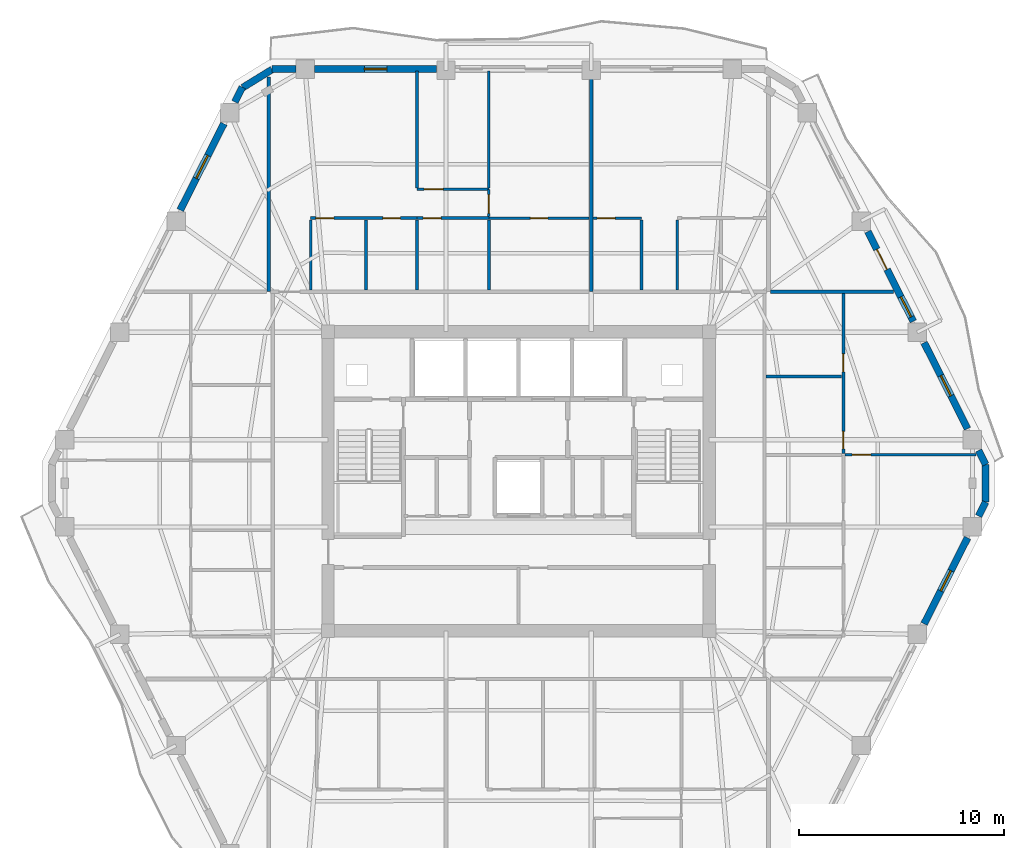
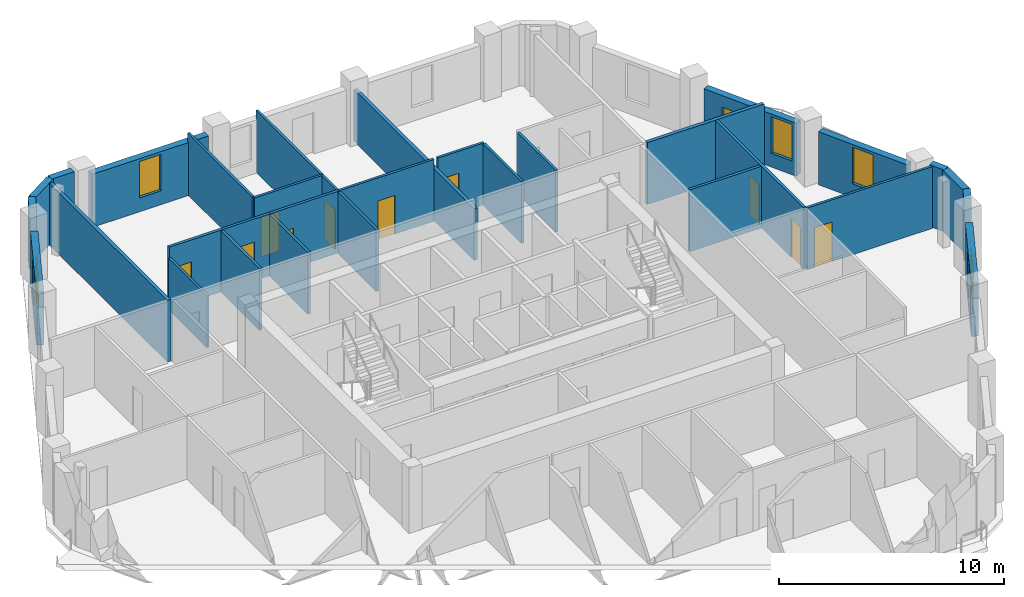
# One storey, part 7 of 11: 31 walls, 11 doors, 5 windows, 16 openings.
"""IFC4 building model written with IfcOpenShell, lengths in metres."""

from ifc_helpers import new_model, si_unit, direction, frame, frame_2d, origin, place, context, subcontext, project, spatial, rectangle, extrude, material, layer, layer_set, type_object, element, fill, save


model = new_model("IFC4")

# Units and contexts
model_context = context("Model", 3, precision=1e-05, world=origin(), true_north=direction((0.0, 1.0)))
body_context = subcontext(model_context, "Body", "Model", "MODEL_VIEW")
ifc_project = project(units=[si_unit("LENGTHUNIT", "METRE"), si_unit("AREAUNIT", "SQUARE_METRE"), si_unit("VOLUMEUNIT", "CUBIC_METRE"), si_unit("PLANEANGLEUNIT", "RADIAN"), si_unit("MASSUNIT", "GRAM", prefix="KILO")], contexts=[model_context])

# Site, building, storey
site_placement = place(None, origin())
site = spatial("IfcSite", under=ifc_project, at=site_placement, CompositionType="ELEMENT")
building_placement = place(site_placement, origin())
building = spatial("IfcBuilding", under=site, at=building_placement, Name="Cinnabar Lancet Tower", CompositionType="ELEMENT")
storey_placement = place(building_placement, frame((0.0, 0.0, 175.449951171875)))
storey = spatial("IfcBuildingStorey", under=building, at=storey_placement, Name="L46", CompositionType="ELEMENT", Elevation=175.449951171875)

# Walls
ifc_material_1 = material(Name="Fire-rated twin-frame acoustic drywall", Category="gypsum")
ifc_layer_1 = layer(ifc_material_1, 0.179931640625)
ifc_layer_set_1 = layer_set([ifc_layer_1], Name="Fire-rated twin-frame acoustic drywall")
wall_type_1 = type_object("IfcWallType", Name="ARC-WL-PARTY-180", PredefinedType="PARTITIONING", material=ifc_layer_set_1)
wall_1_placement = place(storey_placement, frame((20.199951171875, 35.14990234375, 0.0), z_axis=(0.0, 0.0, 1.0), x_axis=(0.0, 1.0, 0.0)))
element("IfcWall", 1, at=wall_1_placement, inside=storey, type_object=wall_type_1, Name="PW-L46-NPTY-202", PredefinedType="PARTITIONING", context=body_context, shape_type="SweptSolid", body=[
    extrude(rectangle(XDim=10.482177734375, YDim=0.179931640625, at=frame_2d((5.2412109375, 0.0))), origin(), (0.0, 0.0, 1.0), 3.35009765625),
])
wall_2_placement = place(storey_placement, frame((35.943115234375, 35.14990234375, 0.0), z_axis=(0.0, 0.0, 1.0), x_axis=(0.0, 1.0, 0.0)))
element("IfcWall", 2, at=wall_2_placement, inside=storey, type_object=wall_type_1, Name="PW-L46-NPTY-359", PredefinedType="PARTITIONING", context=body_context, shape_type="SweptSolid", body=[
    extrude(rectangle(XDim=10.695068359375, YDim=0.179931640625, at=frame_2d((5.34765625, 0.0))), origin(), (0.0, 0.0, 1.0), 2.80712890625),
])
wall_3_placement = place(storey_placement, frame((44.695068359375, 35.14990234375, 0.0), z_axis=(0.0, 0.0, 1.0), x_axis=(1.0, 0.0, 0.0)))
element("IfcWall", 3, at=wall_3_placement, inside=storey, type_object=wall_type_1, Name="PW-L46-ENB", PredefinedType="PARTITIONING", context=body_context, shape_type="SweptSolid", body=[
    extrude(rectangle(XDim=5.994873046875, YDim=0.179931640625, at=frame_2d((2.99755859375, 0.0))), origin(), (0.0, 0.0, 1.0), 3.35009765625),
])
ifc_material_2 = material(Name="Gypsum plasterboard stud partition", Category="gypsum")
ifc_layer_2 = layer(ifc_material_2, 0.125)
ifc_layer_set_2 = layer_set([ifc_layer_2], Name="Gypsum plasterboard stud partition")
wall_type_2 = type_object("IfcWallType", Name="ARC-WL-UNIT-125", PredefinedType="PARTITIONING", material=ifc_layer_set_2)
wall_4_placement = place(storey_placement, frame((22.25, 35.235107421875, 0.0), z_axis=(0.0, 0.0, 1.0), x_axis=(0.0, 1.0, 0.0)))
element("IfcWall", 4, at=wall_4_placement, inside=storey, type_object=wall_type_2, Name="UW-L46-N01-FOYE", PredefinedType="PARTITIONING", context=body_context, shape_type="SweptSolid", body=[
    extrude(rectangle(XDim=3.40478515625, YDim=0.125, at=frame_2d((1.702392578125, 0.0))), origin(), (0.0, 0.0, 1.0), 2.80712890625),
])

# Wall, opening, door
wall_5_placement = place(storey_placement, frame((30.949951171875, 38.7451171875, 0.0), z_axis=(0.0, 0.0, 1.0), x_axis=(1.0, 0.0, 0.0)))
wall_5 = element("IfcWall", 5, at=wall_5_placement, inside=storey, type_object=wall_type_2, Name="UW-L46-N01-SP2", PredefinedType="PARTITIONING", context=body_context, shape_type="SweptSolid", body=[
    extrude(rectangle(XDim=4.89794921875, YDim=0.125, at=frame_2d((2.448974609375, 0.0))), origin(), (0.0, 0.0, 1.0), 3.35009765625),
])
opening_1_placement = place(wall_5_placement, frame((2.02392578125, 0.0, 0.0)))
opening_1 = element("IfcOpeningElement", 6, at=opening_1_placement, cuts=wall_5, Name="Opening BD-01", PredefinedType="OPENING", context=body_context, shape_type="SweptSolid", body=[
    extrude(rectangle(XDim=0.860107421875, YDim=2.10009765625, at=frame_2d((0.43017578125, 1.050048828125))), frame((0.0, 0.072509765625, 0.0), z_axis=(0.0, -1.0, 0.0), x_axis=(1.0, 0.0, 0.0)), (0.0, 0.0, 1.0), 0.14501953125),
])
ifc_material_3 = material(Name="Moisture-resistant timber bathroom door", Category="wood")
door_type_1 = type_object("IfcDoorType", Name="ARC-DR-BATH", OperationType="NOTDEFINED", PredefinedType="DOOR", material=ifc_material_3)
door_1_placement = place(opening_1_placement, origin())
door_1 = element("IfcDoor", 7, at=door_1_placement, inside=storey, type_object=door_type_1, Name="DR-L46-N01-ENS", OperationType="SINGLE_SWING_LEFT", OverallHeight=2.10009765625, OverallWidth=0.860107421875, PredefinedType="DOOR", context=body_context, shape_type="SweptSolid", body=[
    extrude(rectangle(XDim=0.860107421875, YDim=2.10009765625, at=frame_2d((0.43017578125, 1.050048828125))), frame((0.0, 0.02490234375, 0.0), z_axis=(0.0, -1.0, 0.0), x_axis=(1.0, 0.0, 0.0)), (0.0, 0.0, 1.0), 0.050048828125),
])
fill(opening_1, door_1)

# Wall
wall_6_placement = place(storey_placement, frame((27.44189453125, 40.2099609375, 0.0), z_axis=(0.0, 0.0, 1.0), x_axis=(0.0, 1.0, 0.0)))
element("IfcWall", 8, at=wall_6_placement, inside=storey, type_object=wall_type_2, Name="UW-L46-N01-BD2W", PredefinedType="PARTITIONING", context=body_context, shape_type="SweptSolid", body=[
    extrude(rectangle(XDim=5.72509765625, YDim=0.125, at=frame_2d((2.862548828125, 0.0))), origin(), (0.0, 0.0, 1.0), 3.35009765625),
])

# Wall, opening, door
wall_7_placement = place(storey_placement, frame((27.44189453125, 40.14501953125, 0.0), z_axis=(0.0, 0.0, 1.0), x_axis=(1.0, 0.0, 0.0)))
wall_7 = element("IfcWall", 9, at=wall_7_placement, inside=storey, type_object=wall_type_2, Name="UW-L46-N01-HLN", PredefinedType="PARTITIONING", context=body_context, shape_type="SweptSolid", body=[
    extrude(rectangle(XDim=3.508056640625, YDim=0.125, at=frame_2d((1.75390625, 0.0))), origin(), (0.0, 0.0, 1.0), 3.35009765625),
])
opening_2_placement = place(wall_7_placement, frame((0.35009765625, 0.0, 0.0)))
opening_2 = element("IfcOpeningElement", 10, at=opening_2_placement, cuts=wall_7, Name="Opening RD-01", PredefinedType="OPENING", context=body_context, shape_type="SweptSolid", body=[
    extrude(rectangle(XDim=0.919921875, YDim=2.14990234375, at=frame_2d((0.4599609375, 1.074951171875))), frame((0.0, 0.072509765625, 0.0), z_axis=(0.0, -1.0, 0.0), x_axis=(1.0, 0.0, 0.0)), (0.0, 0.0, 1.0), 0.14501953125),
])
ifc_material_4 = material(Name="Engineered timber bedroom door", Category="wood")
door_type_2 = type_object("IfcDoorType", Name="ARC-DR-ROOM", OperationType="NOTDEFINED", PredefinedType="DOOR", material=ifc_material_4)
door_2_placement = place(opening_2_placement, origin())
door_2 = element("IfcDoor", 11, at=door_2_placement, inside=storey, type_object=door_type_2, Name="DR-L46-N01-BD2", OperationType="SINGLE_SWING_RIGHT", OverallHeight=2.14990234375, OverallWidth=0.919921875, PredefinedType="DOOR", context=body_context, shape_type="SweptSolid", body=[
    extrude(rectangle(XDim=0.919921875, YDim=2.14990234375, at=frame_2d((0.4599609375, 1.074951171875))), frame((0.0, 0.02490234375, 0.0), z_axis=(0.0, -1.0, 0.0), x_axis=(1.0, 0.0, 0.0)), (0.0, 0.0, 1.0), 0.050048828125),
])
fill(opening_2, door_2)

wall_8_placement = place(storey_placement, frame((30.949951171875, 38.81494140625, 0.0), z_axis=(0.0, 0.0, 1.0), x_axis=(0.0, 1.0, 0.0)))
wall_8 = element("IfcWall", 12, at=wall_8_placement, inside=storey, type_object=wall_type_2, Name="UW-L46-N01-MBE", PredefinedType="PARTITIONING", context=body_context, shape_type="SweptSolid", body=[
    extrude(rectangle(XDim=1.330078125, YDim=0.125, at=frame_2d((0.6650390625, 0.0))), origin(), (0.0, 0.0, 1.0), 3.35009765625),
])
opening_3_placement = place(wall_8_placement, frame((0.159912109375, 0.0, 0.0)))
opening_3 = element("IfcOpeningElement", 13, at=opening_3_placement, cuts=wall_8, Name="Opening RD-01", PredefinedType="OPENING", context=body_context, shape_type="SweptSolid", body=[
    extrude(rectangle(XDim=0.919921875, YDim=2.14990234375, at=frame_2d((0.4599609375, 1.074951171875))), frame((0.0, 0.072509765625, 0.0), z_axis=(0.0, -1.0, 0.0), x_axis=(1.0, 0.0, 0.0)), (0.0, 0.0, 1.0), 0.14501953125),
])
door_3_placement = place(opening_3_placement, origin())
door_3 = element("IfcDoor", 14, at=door_3_placement, inside=storey, type_object=door_type_2, Name="DR-L46-N01-MBD", OperationType="SINGLE_SWING_RIGHT", OverallHeight=2.14990234375, OverallWidth=0.919921875, PredefinedType="DOOR", context=body_context, shape_type="SweptSolid", body=[
    extrude(rectangle(XDim=0.919921875, YDim=2.14990234375, at=frame_2d((0.4599609375, 1.074951171875))), frame((0.0, 0.02490234375, 0.0), z_axis=(0.0, -1.0, 0.0), x_axis=(1.0, 0.0, 0.0)), (0.0, 0.0, 1.0), 0.050048828125),
])
fill(opening_3, door_3)

# Walls
wall_9_placement = place(storey_placement, frame((30.949951171875, 40.2099609375, 0.0), z_axis=(0.0, 0.0, 1.0), x_axis=(0.0, 1.0, 0.0)))
element("IfcWall", 15, at=wall_9_placement, inside=storey, type_object=wall_type_2, Name="UW-L46-N01-MB2W", PredefinedType="PARTITIONING", context=body_context, shape_type="SweptSolid", body=[
    extrude(rectangle(XDim=5.72509765625, YDim=0.125, at=frame_2d((2.862548828125, 0.0))), origin(), (0.0, 0.0, 1.0), 3.35009765625),
])
for number, where, z_axis, x_axis, name in (
    (16, (40.14990234375, 35.235107421875, 0.0), (0.0, 0.0, 1.0), (0.0, 1.0, 0.0), "UW-L46-N02-FOYE"),
    (17, (38.39990234375, 35.235107421875, 0.0), (0.0, 0.0, 1.0), (0.0, 1.0, 0.0), "UW-L46-N02-FOYW"),
):
    element("IfcWall", number, at=place(storey_placement, frame(where, z_axis=z_axis, x_axis=x_axis)), inside=storey, type_object=wall_type_2, Name=name, PredefinedType="PARTITIONING", context=body_context, shape_type="SweptSolid", body=[
        extrude(rectangle(XDim=3.40478515625, YDim=0.125, at=frame_2d((1.702392578125, 0.0))), origin(), (0.0, 0.0, 1.0), 3.35009765625),
    ])

# Wall, opening, door
wall_10_placement = place(storey_placement, frame((36.0380859375, 38.7451171875, 0.0), z_axis=(0.0, 0.0, 1.0), x_axis=(1.0, 0.0, 0.0)))
wall_10 = element("IfcWall", 18, at=wall_10_placement, inside=storey, type_object=wall_type_2, Name="UW-L46-N02-SP0", PredefinedType="PARTITIONING", context=body_context, shape_type="SweptSolid", body=[
    extrude(rectangle(XDim=2.36181640625, YDim=0.125, at=frame_2d((1.180908203125, 0.0))), origin(), (0.0, 0.0, 1.0), 3.35009765625),
])
opening_4_placement = place(wall_10_placement, frame((0.199951171875, 0.0, 0.0)))
opening_4 = element("IfcOpeningElement", 19, at=opening_4_placement, cuts=wall_10, Name="Opening RD-02", PredefinedType="OPENING", context=body_context, shape_type="SweptSolid", body=[
    extrude(rectangle(XDim=0.8798828125, YDim=2.14990234375, at=frame_2d((0.43994140625, 1.074951171875))), frame((0.0, 0.072509765625, 0.0), z_axis=(0.0, -1.0, 0.0), x_axis=(1.0, 0.0, 0.0)), (0.0, 0.0, 1.0), 0.14501953125),
])
ifc_material_5 = material(Name="Engineered timber study door", Category="wood")
door_type_3 = type_object("IfcDoorType", Name="ARC-DR-STUDY", OperationType="NOTDEFINED", PredefinedType="DOOR", material=ifc_material_5)
door_4_placement = place(opening_4_placement, origin())
door_4 = element("IfcDoor", 20, at=door_4_placement, inside=storey, type_object=door_type_3, Name="DR-L46-N02-EX0", OperationType="SINGLE_SWING_RIGHT", OverallHeight=2.14990234375, OverallWidth=0.8798828125, PredefinedType="DOOR", context=body_context, shape_type="SweptSolid", body=[
    extrude(rectangle(XDim=0.8798828125, YDim=2.14990234375, at=frame_2d((0.43994140625, 1.074951171875))), frame((0.0, 0.02490234375, 0.0), z_axis=(0.0, -1.0, 0.0), x_axis=(1.0, 0.0, 0.0)), (0.0, 0.0, 1.0), 0.050048828125),
])
fill(opening_4, door_4)

wall_11_placement = place(storey_placement, frame((48.324951171875, 27.18896484375, 0.0), z_axis=(0.0, 0.0, 1.0), x_axis=(1.0, 0.0, 0.0)))
wall_11 = element("IfcWall", 21, at=wall_11_placement, inside=storey, type_object=wall_type_2, Name="UW-L46-E01-MBN", PredefinedType="PARTITIONING", context=body_context, shape_type="SweptSolid", body=[
    extrude(rectangle(XDim=6.407958984375, YDim=0.125, at=frame_2d((3.2041015625, 0.0))), origin(), (0.0, 0.0, 1.0), 3.35009765625),
])
opening_5_placement = place(wall_11_placement, frame((0.35009765625, 0.0, 0.0)))
opening_5 = element("IfcOpeningElement", 22, at=opening_5_placement, cuts=wall_11, Name="Opening RD-01", PredefinedType="OPENING", context=body_context, shape_type="SweptSolid", body=[
    extrude(rectangle(XDim=0.919921875, YDim=2.14990234375, at=frame_2d((0.4599609375, 1.074951171875))), frame((0.0, 0.072509765625, 0.0), z_axis=(0.0, -1.0, 0.0), x_axis=(1.0, 0.0, 0.0)), (0.0, 0.0, 1.0), 0.14501953125),
])
door_5_placement = place(opening_5_placement, origin())
door_5 = element("IfcDoor", 23, at=door_5_placement, inside=storey, type_object=door_type_2, Name="DR-L46-E01-MBD", OperationType="SINGLE_SWING_LEFT", OverallHeight=2.14990234375, OverallWidth=0.919921875, PredefinedType="DOOR", context=body_context, shape_type="SweptSolid", body=[
    extrude(rectangle(XDim=0.919921875, YDim=2.14990234375, at=frame_2d((0.4599609375, 1.074951171875))), frame((0.0, 0.02490234375, 0.0), z_axis=(0.0, -1.0, 0.0), x_axis=(1.0, 0.0, 0.0)), (0.0, 0.0, 1.0), 0.050048828125),
])
fill(opening_5, door_5)

# Wall, openings, doors
ifc_material_6 = material(Name="Moisture-resistant cement-board plumbing wall", Category="masonry")
ifc_layer_3 = layer(ifc_material_6, 0.139892578125)
ifc_layer_set_3 = layer_set([ifc_layer_3], Name="Moisture-resistant cement-board plumbing wall")
wall_type_3 = type_object("IfcWallType", Name="ARC-WL-WET-140", PredefinedType="PLUMBINGWALL", material=ifc_layer_set_3)
wall_12_placement = place(storey_placement, frame((22.25, 38.7451171875, 0.0), z_axis=(0.0, 0.0, 1.0), x_axis=(1.0, 0.0, 0.0)))
wall_12 = element("IfcWall", 24, at=wall_12_placement, inside=storey, type_object=wall_type_3, Name="UW-L46-N01-SPL", PredefinedType="PLUMBINGWALL", context=body_context, shape_type="SweptSolid", body=[
    extrude(rectangle(XDim=5.19189453125, YDim=0.139892578125, at=frame_2d((2.595947265625, 0.0))), origin(), (0.0, 0.0, 1.0), 3.35009765625),
])
opening_6_placement = place(wall_12_placement, frame((3.52099609375, 0.0, 0.0)))
opening_6 = element("IfcOpeningElement", 25, at=opening_6_placement, cuts=wall_12, Name="Opening BD-01", PredefinedType="OPENING", context=body_context, shape_type="SweptSolid", body=[
    extrude(rectangle(XDim=0.860107421875, YDim=2.10009765625, at=frame_2d((0.43017578125, 1.050048828125))), frame((0.0, 0.079833984375, 0.0), z_axis=(0.0, -1.0, 0.0), x_axis=(1.0, 0.0, 0.0)), (0.0, 0.0, 1.0), 0.159912109375),
])
opening_7_placement = place(wall_12_placement, frame((0.260009765625, 0.0, 0.0)))
opening_7 = element("IfcOpeningElement", 26, at=opening_7_placement, cuts=wall_12, Name="Opening RD-02", PredefinedType="OPENING", context=body_context, shape_type="SweptSolid", body=[
    extrude(rectangle(XDim=0.8798828125, YDim=2.14990234375, at=frame_2d((0.43994140625, 1.074951171875))), frame((0.0, 0.079833984375, 0.0), z_axis=(0.0, -1.0, 0.0), x_axis=(1.0, 0.0, 0.0)), (0.0, 0.0, 1.0), 0.159912109375),
])
door_6_placement = place(opening_6_placement, origin())
door_6 = element("IfcDoor", 27, at=door_6_placement, inside=storey, type_object=door_type_1, Name="DR-L46-N01-BTH", OperationType="SINGLE_SWING_LEFT", OverallHeight=2.10009765625, OverallWidth=0.860107421875, PredefinedType="DOOR", context=body_context, shape_type="SweptSolid", body=[
    extrude(rectangle(XDim=0.860107421875, YDim=2.10009765625, at=frame_2d((0.43017578125, 1.050048828125))), frame((0.0, 0.02490234375, 0.0), z_axis=(0.0, -1.0, 0.0), x_axis=(1.0, 0.0, 0.0)), (0.0, 0.0, 1.0), 0.050048828125),
])
fill(opening_6, door_6)
door_7_placement = place(opening_7_placement, origin())
door_7 = element("IfcDoor", 28, at=door_7_placement, inside=storey, type_object=door_type_3, Name="DR-L46-N01-KIT", OperationType="SINGLE_SWING_RIGHT", OverallHeight=2.14990234375, OverallWidth=0.8798828125, PredefinedType="DOOR", context=body_context, shape_type="SweptSolid", body=[
    extrude(rectangle(XDim=0.8798828125, YDim=2.14990234375, at=frame_2d((0.43994140625, 1.074951171875))), frame((0.0, 0.02490234375, 0.0), z_axis=(0.0, -1.0, 0.0), x_axis=(1.0, 0.0, 0.0)), (0.0, 0.0, 1.0), 0.050048828125),
])
fill(opening_7, door_7)

# Wall, opening, door
wall_13_placement = place(storey_placement, frame((27.44189453125, 38.7451171875, 0.0), z_axis=(0.0, 0.0, 1.0), x_axis=(1.0, 0.0, 0.0)))
wall_13 = element("IfcWall", 29, at=wall_13_placement, inside=storey, type_object=wall_type_3, Name="UW-L46-N01-SPM", PredefinedType="PLUMBINGWALL", context=body_context, shape_type="SweptSolid", body=[
    extrude(rectangle(XDim=3.508056640625, YDim=0.139892578125, at=frame_2d((1.75390625, 0.0))), origin(), (0.0, 0.0, 1.0), 3.35009765625),
])
opening_8_placement = place(wall_13_placement, frame((0.300048828125, 0.0, 0.0)))
opening_8 = element("IfcOpeningElement", 30, at=opening_8_placement, cuts=wall_13, Name="Opening RD-02", PredefinedType="OPENING", context=body_context, shape_type="SweptSolid", body=[
    extrude(rectangle(XDim=0.8798828125, YDim=2.14990234375, at=frame_2d((0.43994140625, 1.074951171875))), frame((0.0, 0.079833984375, 0.0), z_axis=(0.0, -1.0, 0.0), x_axis=(1.0, 0.0, 0.0)), (0.0, 0.0, 1.0), 0.159912109375),
])
door_8_placement = place(opening_8_placement, origin())
door_8 = element("IfcDoor", 31, at=door_8_placement, inside=storey, type_object=door_type_3, Name="DR-L46-N01-UTL", OperationType="SINGLE_SWING_LEFT", OverallHeight=2.14990234375, OverallWidth=0.8798828125, PredefinedType="DOOR", context=body_context, shape_type="SweptSolid", body=[
    extrude(rectangle(XDim=0.8798828125, YDim=2.14990234375, at=frame_2d((0.43994140625, 1.074951171875))), frame((0.0, 0.02490234375, 0.0), z_axis=(0.0, -1.0, 0.0), x_axis=(1.0, 0.0, 0.0)), (0.0, 0.0, 1.0), 0.050048828125),
])
fill(opening_8, door_8)

# Walls
for number, where, z_axis, x_axis, name in (
    (32, (24.949951171875, 35.235107421875, 0.0), (0.0, 0.0, 1.0), (0.0, 1.0, 0.0), "UW-L46-N01-KDV"),
    (33, (27.44189453125, 35.235107421875, 0.0), (0.0, 0.0, 1.0), (0.0, 1.0, 0.0), "UW-L46-N01-ENSW"),
    (34, (30.949951171875, 35.235107421875, 0.0), (0.0, 0.0, 1.0), (0.0, 1.0, 0.0), "UW-L46-N01-ENSE"),
):
    element("IfcWall", number, at=place(storey_placement, frame(where, z_axis=z_axis, x_axis=x_axis)), inside=storey, type_object=wall_type_3, Name=name, PredefinedType="PLUMBINGWALL", context=body_context, shape_type="SweptSolid", body=[
        extrude(rectangle(XDim=3.40478515625, YDim=0.139892578125, at=frame_2d((1.702392578125, 0.0))), origin(), (0.0, 0.0, 1.0), 3.35009765625),
    ])

# Wall, openings, doors
wall_14_placement = place(storey_placement, frame((48.25, 27.259033203125, 0.0), z_axis=(0.0, 0.0, 1.0), x_axis=(0.0, 1.0, 0.0)))
wall_14 = element("IfcWall", 35, at=wall_14_placement, inside=storey, type_object=wall_type_3, Name="UW-L46-E01-SPM", PredefinedType="PLUMBINGWALL", context=body_context, shape_type="SweptSolid", body=[
    extrude(rectangle(XDim=7.7958984375, YDim=0.139892578125, at=frame_2d((3.89794921875, 0.0))), origin(), (0.0, 0.0, 1.0), 3.35009765625),
])
opening_9_placement = place(wall_14_placement, frame((0.219970703125, 0.0, 0.0)))
opening_9 = element("IfcOpeningElement", 36, at=opening_9_placement, cuts=wall_14, Name="Opening BD-01", PredefinedType="OPENING", context=body_context, shape_type="SweptSolid", body=[
    extrude(rectangle(XDim=0.860107421875, YDim=2.10009765625, at=frame_2d((0.43017578125, 1.050048828125))), frame((0.0, 0.079833984375, 0.0), z_axis=(0.0, -1.0, 0.0), x_axis=(1.0, 0.0, 0.0)), (0.0, 0.0, 1.0), 0.159912109375),
])
opening_10_placement = place(wall_14_placement, frame((3.97998046875, 0.0, 0.0)))
opening_10 = element("IfcOpeningElement", 37, at=opening_10_placement, cuts=wall_14, Name="Opening RD-02", PredefinedType="OPENING", context=body_context, shape_type="SweptSolid", body=[
    extrude(rectangle(XDim=0.8798828125, YDim=2.14990234375, at=frame_2d((0.43994140625, 1.074951171875))), frame((0.0, 0.079833984375, 0.0), z_axis=(0.0, -1.0, 0.0), x_axis=(1.0, 0.0, 0.0)), (0.0, 0.0, 1.0), 0.159912109375),
])
door_9_placement = place(opening_9_placement, origin())
door_9 = element("IfcDoor", 38, at=door_9_placement, inside=storey, type_object=door_type_1, Name="DR-L46-E01-ENS", OperationType="SINGLE_SWING_LEFT", OverallHeight=2.10009765625, OverallWidth=0.860107421875, PredefinedType="DOOR", context=body_context, shape_type="SweptSolid", body=[
    extrude(rectangle(XDim=0.860107421875, YDim=2.10009765625, at=frame_2d((0.43017578125, 1.050048828125))), frame((0.0, 0.02490234375, 0.0), z_axis=(0.0, -1.0, 0.0), x_axis=(1.0, 0.0, 0.0)), (0.0, 0.0, 1.0), 0.050048828125),
])
fill(opening_9, door_9)
door_10_placement = place(opening_10_placement, origin())
door_10 = element("IfcDoor", 39, at=door_10_placement, inside=storey, type_object=door_type_3, Name="DR-L46-E01-EWDR", OperationType="SINGLE_SWING_RIGHT", OverallHeight=2.14990234375, OverallWidth=0.8798828125, PredefinedType="DOOR", context=body_context, shape_type="SweptSolid", body=[
    extrude(rectangle(XDim=0.8798828125, YDim=2.14990234375, at=frame_2d((0.43994140625, 1.074951171875))), frame((0.0, 0.02490234375, 0.0), z_axis=(0.0, -1.0, 0.0), x_axis=(1.0, 0.0, 0.0)), (0.0, 0.0, 1.0), 0.050048828125),
])
fill(opening_10, door_10)

# Walls
wall_15_placement = place(storey_placement, frame((44.485107421875, 31.01904296875, 0.0), z_axis=(0.0, 0.0, 1.0), x_axis=(1.0, 0.0, 0.0)))
element("IfcWall", 40, at=wall_15_placement, inside=storey, type_object=wall_type_3, Name="UW-L46-E01-EWDV", PredefinedType="PLUMBINGWALL", context=body_context, shape_type="SweptSolid", body=[
    extrude(rectangle(XDim=3.679931640625, YDim=0.139892578125, at=frame_2d((1.83984375, 0.0))), origin(), (0.0, 0.0, 1.0), 3.35009765625),
])
ifc_material_7 = material(Name="Cinnabar red clay brick", Category="masonry")
ifc_layer_4 = layer(ifc_material_7, 0.340087890625)
ifc_layer_set_4 = layer_set([ifc_layer_4], Name="Cinnabar red clay brick")
wall_type_4 = type_object("IfcWallType", Name="ENV-WL-BRK-RED-340", PredefinedType="STANDARD", material=ifc_layer_set_4)
wall_16_placement = place(storey_placement, frame((55.177978515625, 24.89208984375, 0.0), z_axis=(0.0, 0.0, 1.0), x_axis=(0.0, 1.0, 0.0)))
element("IfcWall", 41, at=wall_16_placement, inside=storey, type_object=wall_type_4, Name="L46 Chamfered Corner Brick Pier 3.1", PredefinedType="STANDARD", context=body_context, shape_type="SweptSolid", body=[
    extrude(rectangle(XDim=1.81591796875, YDim=0.340087890625, at=frame_2d((0.907958984375, 0.0))), origin(), (0.0, 0.0, 1.0), 3.35009765625),
])
wall_17_placement = place(storey_placement, frame((20.366943359375, 45.9951171875, 0.0), z_axis=(0.0, 0.0, 1.0), x_axis=(-0.851713271379, -0.524008113828, 0.0)))
element("IfcWall", 42, at=wall_17_placement, inside=storey, type_object=wall_type_4, Name="L46 Chamfered Corner Brick Pier 5.1", PredefinedType="STANDARD", context=body_context, shape_type="SweptSolid", body=[
    extrude(rectangle(XDim=1.677734375, YDim=0.340087890625, at=frame_2d((0.8388671875, 0.0))), origin(), (0.0, 0.0, 1.0), 3.35009765625),
])

# Wall, opening, window
wall_18_placement = place(storey_placement, frame((52.193115234375, 18.943115234375, 0.0), z_axis=(0.0, 0.0, 1.0), x_axis=(0.451447222193, 0.892297823361, 0.0)))
wall_18 = element("IfcWall", 43, at=wall_18_placement, inside=storey, type_object=wall_type_4, Name="L46 Face 2 Masonry Bay Wall 4", PredefinedType="STANDARD", context=body_context, shape_type="SweptSolid", body=[
    extrude(rectangle(XDim=4.699951171875, YDim=0.340087890625, at=frame_2d((2.35009765625, 0.0))), origin(), (0.0, 0.0, 1.0), 2.883056640625),
])
opening_11_placement = place(wall_18_placement, frame((1.800048828125, 0.0, 0.75)))
opening_11 = element("IfcOpeningElement", 44, at=opening_11_placement, cuts=wall_18, Name="Opening WN-04", PredefinedType="OPENING", context=body_context, shape_type="SweptSolid", body=[
    extrude(rectangle(XDim=1.10009765625, YDim=1.98291015625, at=frame_2d((0.550048828125, 0.991455078125))), frame((0.0, 0.179931640625, 0.0), z_axis=(0.0, -1.0, 0.0), x_axis=(1.0, 0.0, 0.0)), (0.0, 0.0, 1.0), 0.360107421875),
])
ifc_material_8 = material(Name="Thermally broken bronze-anodized aluminium tall lancet window", Category="aluminium")
window_type_1 = type_object("IfcWindowType", Name="ENV-WN-LANCET-1100", PartitioningType="SINGLE_PANEL", PredefinedType="WINDOW", material=ifc_material_8)
window_1_placement = place(opening_11_placement, origin())
window_1 = element("IfcWindow", 45, at=window_1_placement, inside=storey, type_object=window_type_1, Name="L46 Face 2 Gothic Lancet Window 4", OverallHeight=1.98291015625, OverallWidth=1.10009765625, PartitioningType="SINGLE_PANEL", PredefinedType="WINDOW", context=body_context, shape_type="SweptSolid", body=[
    extrude(rectangle(XDim=1.10009765625, YDim=1.98291015625, at=frame_2d((0.550048828125, 0.991455078125))), frame((0.0, 0.030029296875, 0.0), z_axis=(0.0, -1.0, 0.0), x_axis=(1.0, 0.0, 0.0)), (0.0, 0.0, 1.0), 0.06005859375),
])
fill(opening_11, window_1)

# Walls
for number, where, z_axis, x_axis, name in (
    (46, (54.85107421875, 24.197021484375, 0.0), (0.0, 0.0, 1.0), (0.451262448184, 0.892391283496, 0.0), "L46 Face 2 Masonry Bay Wall 5"),
    (47, (55.198974609375, 26.715087890625, 0.0), (0.0, 0.0, 1.0), (-0.451262448184, 0.892391283496, 0.0), "L46 Face 3 Masonry Bay Wall 1"),
):
    element("IfcWall", number, at=place(storey_placement, frame(where, z_axis=z_axis, x_axis=x_axis)), inside=storey, type_object=wall_type_4, Name=name, PredefinedType="STANDARD", context=body_context, shape_type="SweptSolid", body=[
        extrude(rectangle(XDim=0.77099609375, YDim=0.340087890625, at=frame_2d((0.385498046875, 0.0))), origin(), (0.0, 0.0, 1.0), 3.35009765625),
    ])

# Wall, opening, window
wall_19_placement = place(storey_placement, frame((54.31494140625, 28.462890625, 0.0), z_axis=(0.0, 0.0, 1.0), x_axis=(-0.451426298588, 0.892308409096, 0.0)))
wall_19 = element("IfcWall", 48, at=wall_19_placement, inside=storey, type_object=wall_type_4, Name="L46 Face 3 Masonry Bay Wall 2", PredefinedType="STANDARD", context=body_context, shape_type="SweptSolid", body=[
    extrude(rectangle(XDim=4.7001953125, YDim=0.340087890625, at=frame_2d((2.35009765625, 0.0))), origin(), (0.0, 0.0, 1.0), 2.883056640625),
])
opening_12_placement = place(wall_19_placement, frame((1.800048828125, 0.0, 0.75)))
opening_12 = element("IfcOpeningElement", 49, at=opening_12_placement, cuts=wall_19, Name="Opening WN-04", PredefinedType="OPENING", context=body_context, shape_type="SweptSolid", body=[
    extrude(rectangle(XDim=1.10009765625, YDim=1.98291015625, at=frame_2d((0.550048828125, 0.991455078125))), frame((0.0, 0.179931640625, 0.0), z_axis=(0.0, -1.0, 0.0), x_axis=(1.0, 0.0, 0.0)), (0.0, 0.0, 1.0), 0.360107421875),
])
window_2_placement = place(opening_12_placement, origin())
window_2 = element("IfcWindow", 50, at=window_2_placement, inside=storey, type_object=window_type_1, Name="L46 Face 3 Gothic Lancet Window 2", OverallHeight=1.98291015625, OverallWidth=1.10009765625, PartitioningType="SINGLE_PANEL", PredefinedType="WINDOW", context=body_context, shape_type="SweptSolid", body=[
    extrude(rectangle(XDim=1.10009765625, YDim=1.98291015625, at=frame_2d((0.550048828125, 0.991455078125))), frame((0.0, 0.030029296875, 0.0), z_axis=(0.0, -1.0, 0.0), x_axis=(1.0, 0.0, 0.0)), (0.0, 0.0, 1.0), 0.06005859375),
])
fill(opening_12, window_2)

# Wall, openings, door, window
wall_20_placement = place(storey_placement, frame((51.6650390625, 33.701904296875, 0.0), z_axis=(0.0, 0.0, 1.0), x_axis=(-0.451524246964, 0.89225884944, 0.0)))
wall_20 = element("IfcWall", 51, at=wall_20_placement, inside=storey, type_object=wall_type_4, Name="L46 Face 3 Masonry Bay Wall 3", PredefinedType="STANDARD", context=body_context, shape_type="SweptSolid", body=[
    extrude(rectangle(XDim=4.91015625, YDim=0.340087890625, at=frame_2d((2.455078125, 0.0))), origin(), (0.0, 0.0, 1.0), 2.883056640625),
])
opening_13_placement = place(wall_20_placement, frame((2.842041015625, 0.0, 0.0)))
opening_13 = element("IfcOpeningElement", 52, at=opening_13_placement, cuts=wall_20, Name="Opening TD-01", PredefinedType="OPENING", context=body_context, shape_type="SweptSolid", body=[
    extrude(rectangle(XDim=1.10009765625, YDim=2.25, at=frame_2d((0.550048828125, 1.125))), frame((0.0, 0.179931640625, 0.0), z_axis=(0.0, -1.0, 0.0), x_axis=(1.0, 0.0, 0.0)), (0.0, 0.0, 1.0), 0.360107421875),
])
opening_14_placement = place(wall_20_placement, frame((0.240966796875, 0.0, 0.75)))
opening_14 = element("IfcOpeningElement", 53, at=opening_14_placement, cuts=wall_20, Name="Opening WN-04", PredefinedType="OPENING", context=body_context, shape_type="SweptSolid", body=[
    extrude(rectangle(XDim=1.10009765625, YDim=1.98291015625, at=frame_2d((0.550048828125, 0.991455078125))), frame((0.0, 0.179931640625, 0.0), z_axis=(0.0, -1.0, 0.0), x_axis=(1.0, 0.0, 0.0)), (0.0, 0.0, 1.0), 0.360107421875),
])
ifc_material_9 = material(Name="Thermally broken low-E glazed balcony terrace door", Category="wood")
door_type_4 = type_object("IfcDoorType", Name="ARC-DR-BALC", OperationType="NOTDEFINED", PredefinedType="DOOR", material=ifc_material_9)
door_11_placement = place(opening_13_placement, origin())
door_11 = element("IfcDoor", 54, at=door_11_placement, inside=storey, type_object=door_type_4, Name="L46 Face 3 Glazed Terrace Door", OperationType="SINGLE_SWING_RIGHT", OverallHeight=2.25, OverallWidth=1.10009765625, PredefinedType="DOOR", context=body_context, shape_type="SweptSolid", body=[
    extrude(rectangle(XDim=1.10009765625, YDim=2.25, at=frame_2d((0.550048828125, 1.125))), frame((0.0, 0.02490234375, 0.0), z_axis=(0.0, -1.0, 0.0), x_axis=(1.0, 0.0, 0.0)), (0.0, 0.0, 1.0), 0.050048828125),
])
fill(opening_13, door_11)
window_3_placement = place(opening_14_placement, origin())
window_3 = element("IfcWindow", 55, at=window_3_placement, inside=storey, type_object=window_type_1, Name="L46 Split-Bay Gothic Lancet Window 137", OverallHeight=1.98291015625, OverallWidth=1.10009765625, PartitioningType="SINGLE_PANEL", PredefinedType="WINDOW", context=body_context, shape_type="SweptSolid", body=[
    extrude(rectangle(XDim=1.10009765625, YDim=1.98291015625, at=frame_2d((0.550048828125, 0.991455078125))), frame((0.0, 0.030029296875, 0.0), z_axis=(0.0, -1.0, 0.0), x_axis=(1.0, 0.0, 0.0)), (0.0, 0.0, 1.0), 0.06005859375),
])
fill(opening_14, window_3)

# Wall, opening, window
wall_21_placement = place(storey_placement, frame((28.403076171875, 46.02001953125, 0.0), z_axis=(0.0, 0.0, 1.0), x_axis=(-1.0, 0.0, 0.0)))
wall_21 = element("IfcWall", 56, at=wall_21_placement, inside=storey, type_object=wall_type_4, Name="L46 Face 4 Masonry Bay Wall 4", PredefinedType="STANDARD", context=body_context, shape_type="SweptSolid", body=[
    extrude(rectangle(XDim=5.969970703125, YDim=0.340087890625, at=frame_2d((2.98486328125, 0.0))), origin(), (0.0, 0.0, 1.0), 2.883056640625),
])
opening_15_placement = place(wall_21_placement, frame((2.43505859375, 0.0, 0.75)))
opening_15 = element("IfcOpeningElement", 57, at=opening_15_placement, cuts=wall_21, Name="Opening WN-04", PredefinedType="OPENING", context=body_context, shape_type="SweptSolid", body=[
    extrude(rectangle(XDim=1.10009765625, YDim=1.98291015625, at=frame_2d((0.550048828125, 0.991455078125))), frame((0.0, 0.179931640625, 0.0), z_axis=(0.0, -1.0, 0.0), x_axis=(1.0, 0.0, 0.0)), (0.0, 0.0, 1.0), 0.360107421875),
])
window_4_placement = place(opening_15_placement, origin())
window_4 = element("IfcWindow", 58, at=window_4_placement, inside=storey, type_object=window_type_1, Name="L46 Face 4 Gothic Lancet Window 4", OverallHeight=1.98291015625, OverallWidth=1.10009765625, PartitioningType="SINGLE_PANEL", PredefinedType="WINDOW", context=body_context, shape_type="SweptSolid", body=[
    extrude(rectangle(XDim=1.10009765625, YDim=1.98291015625, at=frame_2d((0.550048828125, 0.991455078125))), frame((0.0, 0.030029296875, 0.0), z_axis=(0.0, -1.0, 0.0), x_axis=(1.0, 0.0, 0.0)), (0.0, 0.0, 1.0), 0.06005859375),
])
fill(opening_15, window_4)

# Walls
wall_22_placement = place(storey_placement, frame((21.52490234375, 46.02001953125, 0.0), z_axis=(0.0, 0.0, 1.0), x_axis=(-1.0, 0.0, 0.0)))
element("IfcWall", 59, at=wall_22_placement, inside=storey, type_object=wall_type_4, Name="L46 Face 4 Masonry Bay Wall 5", PredefinedType="STANDARD", context=body_context, shape_type="SweptSolid", body=[
    extrude(rectangle(XDim=1.162841796875, YDim=0.340087890625, at=frame_2d((0.58154296875, 0.0))), origin(), (0.0, 0.0, 1.0), 3.35009765625),
])
wall_23_placement = place(storey_placement, frame((18.91796875, 45.132080078125, 0.0), z_axis=(0.0, 0.0, 1.0), x_axis=(-0.451691568309, -0.892174157392, 0.0)))
element("IfcWall", 60, at=wall_23_placement, inside=storey, type_object=wall_type_4, Name="L46 Face 5 Masonry Bay Wall 1", PredefinedType="STANDARD", context=body_context, shape_type="SweptSolid", body=[
    extrude(rectangle(XDim=0.805908203125, YDim=0.340087890625, at=frame_2d((0.40283203125, 0.0))), origin(), (0.0, 0.0, 1.0), 3.35009765625),
])

# Wall, opening, window
wall_24_placement = place(storey_placement, frame((18.01708984375, 43.35107421875, 0.0), z_axis=(0.0, 0.0, 1.0), x_axis=(-0.45150207307, -0.892270070109, 0.0)))
wall_24 = element("IfcWall", 61, at=wall_24_placement, inside=storey, type_object=wall_type_4, Name="L46 Face 5 Masonry Bay Wall 2", PredefinedType="STANDARD", context=body_context, shape_type="SweptSolid", body=[
    extrude(rectangle(XDim=4.73095703125, YDim=0.340087890625, at=frame_2d((2.365478515625, 0.0))), origin(), (0.0, 0.0, 1.0), 2.883056640625),
])
opening_16_placement = place(wall_24_placement, frame((1.739990234375, 0.0, 0.75)))
opening_16 = element("IfcOpeningElement", 62, at=opening_16_placement, cuts=wall_24, Name="Opening WN-03", PredefinedType="OPENING", context=body_context, shape_type="SweptSolid", body=[
    extrude(rectangle(XDim=1.25, YDim=1.949951171875, at=frame_2d((0.625, 0.97509765625))), frame((0.0, 0.179931640625, 0.0), z_axis=(0.0, -1.0, 0.0), x_axis=(1.0, 0.0, 0.0)), (0.0, 0.0, 1.0), 0.360107421875),
])
ifc_material_10 = material(Name="Thermally broken bronze-anodized aluminium low-E double glazing", Category="aluminium")
window_type_2 = type_object("IfcWindowType", Name="ENV-WN-LANCET-1250", PartitioningType="SINGLE_PANEL", PredefinedType="WINDOW", material=ifc_material_10)
window_5_placement = place(opening_16_placement, origin())
window_5 = element("IfcWindow", 63, at=window_5_placement, inside=storey, type_object=window_type_2, Name="L46 Face 5 Gothic Lancet Window 2", OverallHeight=1.949951171875, OverallWidth=1.25, PartitioningType="SINGLE_PANEL", PredefinedType="WINDOW", context=body_context, shape_type="SweptSolid", body=[
    extrude(rectangle(XDim=1.25, YDim=1.949951171875, at=frame_2d((0.625, 0.97509765625))), frame((0.0, 0.030029296875, 0.0), z_axis=(0.0, -1.0, 0.0), x_axis=(1.0, 0.0, 0.0)), (0.0, 0.0, 1.0), 0.06005859375),
])
fill(opening_16, window_5)

save(model, "model.ifc")
